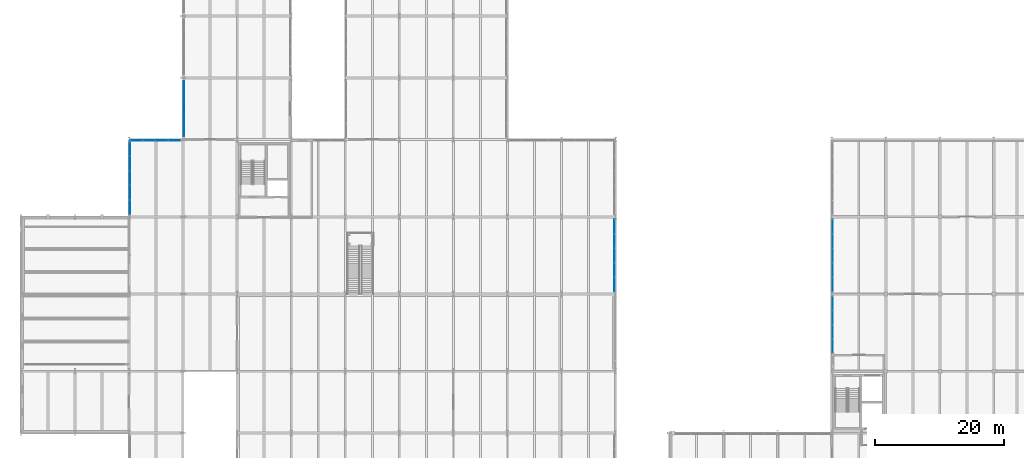
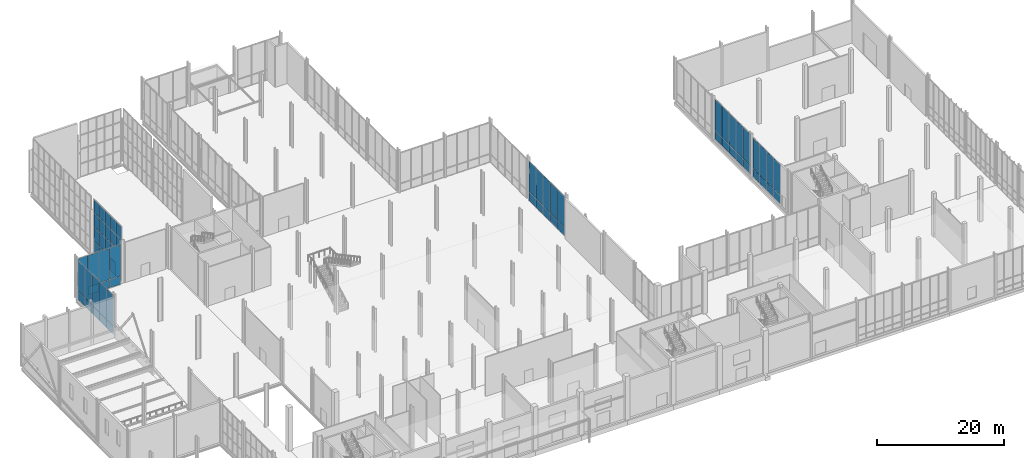
# One storey, part 102 of 131: 66 plates, 6 elements without a shape of their own.
"""IFC4 building model written with IfcOpenShell, lengths in metres."""

from ifc_helpers import new_model, si_unit, direction, frame, origin, origin_2d, place, context, subcontext, project, spatial, rectangle, extrude, material, layer, layer_set, type_object, element, aggregate, save


model = new_model("IFC4")

# Units and contexts
model_context = context("Model", 3, precision=1e-05, world=origin(), true_north=direction((0.0, 1.0)))
body_context = subcontext(model_context, "Body", "Model", "MODEL_VIEW")
ifc_project = project(units=[si_unit("LENGTHUNIT", "METRE"), si_unit("AREAUNIT", "SQUARE_METRE"), si_unit("VOLUMEUNIT", "CUBIC_METRE"), si_unit("PLANEANGLEUNIT", "RADIAN"), si_unit("MASSUNIT", "GRAM", prefix="KILO")], contexts=[model_context])

# Site, building, storey
site_placement = place(None, origin())
site = spatial("IfcSite", under=ifc_project, at=site_placement, CompositionType="ELEMENT")
building_placement = place(site_placement, origin())
building = spatial("IfcBuilding", under=site, at=building_placement, Name="Veltarok Museum of Natural Sciences", CompositionType="ELEMENT")
storey_placement = place(building_placement, origin())
storey = spatial("IfcBuildingStorey", under=building, at=storey_placement, Name="L00", CompositionType="ELEMENT", Elevation=0.0)

# Curtain wall, plates
ifc_material = material(Name="Low-iron triple insulated glass", Category="glass")
curtain_wall_type_1 = type_object("IfcCurtainWallType", Name="Curtain Wall System CW-PAS-NW-HJ-870x1065 (Sculpture Court Passage H-J 870x1065cm)", PredefinedType="NOTDEFINED", material=ifc_material)
curtain_wall_1_placement = place(storey_placement, origin())
curtain_wall_1 = element("IfcCurtainWall", 1, at=curtain_wall_1_placement, inside=storey, type_object=curtain_wall_type_1, Name="Curtain Wall CW-PAS-NW-HJ-870x1065 CW-0024", PredefinedType="NOTDEFINED")
ifc_layer = layer(ifc_material, 0.028076171875)
ifc_layer_set = layer_set([ifc_layer], Name="Low-iron triple insulated glass")
plate_type = type_object("IfcPlateType", Name="Triple Low-Iron Glazed Vision Panel 28", PredefinedType="CURTAIN_PANEL", material=ifc_layer_set)
plate_1_placement = place(storey_placement, frame((31.75, 73.3349609375, 0.06005859375), z_axis=(0.0, 0.0, 1.0), x_axis=(0.0, 1.0, 0.0)))
plate_1 = element("IfcPlate", 2, at=plate_1_placement, type_object=plate_type, Name="CW-PAS-NW-HJ-870x1065 panel 1.1", PredefinedType="CURTAIN_PANEL", context=body_context, shape_type="SweptSolid", body=[
    extrude(rectangle(XDim=1.64990234375, YDim=0.028076171875, at=origin_2d()), origin(), (0.0, 0.0, 1.0), 2.510009765625),
])
plate_2_placement = place(storey_placement, frame((31.75, 73.3349609375, 2.6298828125), z_axis=(0.0, 0.0, 1.0), x_axis=(0.0, 1.0, 0.0)))
plate_2 = element("IfcPlate", 3, at=plate_2_placement, type_object=plate_type, Name="CW-PAS-NW-HJ-870x1065 panel 1.2", PredefinedType="CURTAIN_PANEL", context=body_context, shape_type="SweptSolid", body=[
    extrude(rectangle(XDim=1.64990234375, YDim=0.028076171875, at=origin_2d()), origin(), (0.0, 0.0, 1.0), 2.739990234375),
])
plate_3_placement = place(storey_placement, frame((31.75, 73.3349609375, 5.43017578125), z_axis=(0.0, 0.0, 1.0), x_axis=(0.0, 1.0, 0.0)))
plate_3 = element("IfcPlate", 4, at=plate_3_placement, type_object=plate_type, Name="CW-PAS-NW-HJ-870x1065 panel 1.3", PredefinedType="CURTAIN_PANEL", context=body_context, shape_type="SweptSolid", body=[
    extrude(rectangle(XDim=1.64990234375, YDim=0.028076171875, at=origin_2d()), origin(), (0.0, 0.0, 1.0), 2.639892578125),
])
plate_4_placement = place(storey_placement, frame((31.75, 73.3349609375, 8.130126953125), z_axis=(0.0, 0.0, 1.0), x_axis=(0.0, 1.0, 0.0)))
plate_4 = element("IfcPlate", 5, at=plate_4_placement, type_object=plate_type, Name="CW-PAS-NW-HJ-870x1065 panel 1.4", PredefinedType="CURTAIN_PANEL", context=body_context, shape_type="SweptSolid", body=[
    extrude(rectangle(XDim=1.64990234375, YDim=0.028076171875, at=origin_2d()), origin(), (0.0, 0.0, 1.0), 2.4599609375),
])
plate_5_placement = place(storey_placement, frame((31.75, 75.06005859375, 0.06005859375), z_axis=(0.0, 0.0, 1.0), x_axis=(0.0, 1.0, 0.0)))
plate_5 = element("IfcPlate", 6, at=plate_5_placement, type_object=plate_type, Name="CW-PAS-NW-HJ-870x1065 panel 2.1", PredefinedType="CURTAIN_PANEL", context=body_context, shape_type="SweptSolid", body=[
    extrude(rectangle(XDim=1.679931640625, YDim=0.028076171875, at=origin_2d()), origin(), (0.0, 0.0, 1.0), 2.510009765625),
])
plate_6_placement = place(storey_placement, frame((31.75, 75.06005859375, 2.6298828125), z_axis=(0.0, 0.0, 1.0), x_axis=(0.0, 1.0, 0.0)))
plate_6 = element("IfcPlate", 7, at=plate_6_placement, type_object=plate_type, Name="CW-PAS-NW-HJ-870x1065 panel 2.2", PredefinedType="CURTAIN_PANEL", context=body_context, shape_type="SweptSolid", body=[
    extrude(rectangle(XDim=1.679931640625, YDim=0.028076171875, at=origin_2d()), origin(), (0.0, 0.0, 1.0), 2.739990234375),
])
plate_7_placement = place(storey_placement, frame((31.75, 75.06005859375, 5.43017578125), z_axis=(0.0, 0.0, 1.0), x_axis=(0.0, 1.0, 0.0)))
plate_7 = element("IfcPlate", 8, at=plate_7_placement, type_object=plate_type, Name="CW-PAS-NW-HJ-870x1065 panel 2.3", PredefinedType="CURTAIN_PANEL", context=body_context, shape_type="SweptSolid", body=[
    extrude(rectangle(XDim=1.679931640625, YDim=0.028076171875, at=origin_2d()), origin(), (0.0, 0.0, 1.0), 2.639892578125),
])
plate_8_placement = place(storey_placement, frame((31.75, 75.06005859375, 8.130126953125), z_axis=(0.0, 0.0, 1.0), x_axis=(0.0, 1.0, 0.0)))
plate_8 = element("IfcPlate", 9, at=plate_8_placement, type_object=plate_type, Name="CW-PAS-NW-HJ-870x1065 panel 2.4", PredefinedType="CURTAIN_PANEL", context=body_context, shape_type="SweptSolid", body=[
    extrude(rectangle(XDim=1.679931640625, YDim=0.028076171875, at=origin_2d()), origin(), (0.0, 0.0, 1.0), 2.4599609375),
])
plate_9_placement = place(storey_placement, frame((31.75, 76.800048828125, 0.06005859375), z_axis=(0.0, 0.0, 1.0), x_axis=(0.0, 1.0, 0.0)))
plate_9 = element("IfcPlate", 10, at=plate_9_placement, type_object=plate_type, Name="CW-PAS-NW-HJ-870x1065 panel 3.1", PredefinedType="CURTAIN_PANEL", context=body_context, shape_type="SweptSolid", body=[
    extrude(rectangle(XDim=1.679931640625, YDim=0.028076171875, at=origin_2d()), origin(), (0.0, 0.0, 1.0), 2.510009765625),
])
plate_10_placement = place(storey_placement, frame((31.75, 76.800048828125, 2.6298828125), z_axis=(0.0, 0.0, 1.0), x_axis=(0.0, 1.0, 0.0)))
plate_10 = element("IfcPlate", 11, at=plate_10_placement, type_object=plate_type, Name="CW-PAS-NW-HJ-870x1065 panel 3.2", PredefinedType="CURTAIN_PANEL", context=body_context, shape_type="SweptSolid", body=[
    extrude(rectangle(XDim=1.679931640625, YDim=0.028076171875, at=origin_2d()), origin(), (0.0, 0.0, 1.0), 2.739990234375),
])
plate_11_placement = place(storey_placement, frame((31.75, 76.800048828125, 5.43017578125), z_axis=(0.0, 0.0, 1.0), x_axis=(0.0, 1.0, 0.0)))
plate_11 = element("IfcPlate", 12, at=plate_11_placement, type_object=plate_type, Name="CW-PAS-NW-HJ-870x1065 panel 3.3", PredefinedType="CURTAIN_PANEL", context=body_context, shape_type="SweptSolid", body=[
    extrude(rectangle(XDim=1.679931640625, YDim=0.028076171875, at=origin_2d()), origin(), (0.0, 0.0, 1.0), 2.639892578125),
])
plate_12_placement = place(storey_placement, frame((31.75, 76.800048828125, 8.130126953125), z_axis=(0.0, 0.0, 1.0), x_axis=(0.0, 1.0, 0.0)))
plate_12 = element("IfcPlate", 13, at=plate_12_placement, type_object=plate_type, Name="CW-PAS-NW-HJ-870x1065 panel 3.4", PredefinedType="CURTAIN_PANEL", context=body_context, shape_type="SweptSolid", body=[
    extrude(rectangle(XDim=1.679931640625, YDim=0.028076171875, at=origin_2d()), origin(), (0.0, 0.0, 1.0), 2.4599609375),
])
plate_13_placement = place(storey_placement, frame((31.75, 78.5400390625, 0.06005859375), z_axis=(0.0, 0.0, 1.0), x_axis=(0.0, 1.0, 0.0)))
plate_13 = element("IfcPlate", 14, at=plate_13_placement, type_object=plate_type, Name="CW-PAS-NW-HJ-870x1065 panel 4.1", PredefinedType="CURTAIN_PANEL", context=body_context, shape_type="SweptSolid", body=[
    extrude(rectangle(XDim=1.679931640625, YDim=0.028076171875, at=origin_2d()), origin(), (0.0, 0.0, 1.0), 2.510009765625),
])
plate_14_placement = place(storey_placement, frame((31.75, 78.5400390625, 2.6298828125), z_axis=(0.0, 0.0, 1.0), x_axis=(0.0, 1.0, 0.0)))
plate_14 = element("IfcPlate", 15, at=plate_14_placement, type_object=plate_type, Name="CW-PAS-NW-HJ-870x1065 panel 4.2", PredefinedType="CURTAIN_PANEL", context=body_context, shape_type="SweptSolid", body=[
    extrude(rectangle(XDim=1.679931640625, YDim=0.028076171875, at=origin_2d()), origin(), (0.0, 0.0, 1.0), 2.739990234375),
])
plate_15_placement = place(storey_placement, frame((31.75, 78.5400390625, 5.43017578125), z_axis=(0.0, 0.0, 1.0), x_axis=(0.0, 1.0, 0.0)))
plate_15 = element("IfcPlate", 16, at=plate_15_placement, type_object=plate_type, Name="CW-PAS-NW-HJ-870x1065 panel 4.3", PredefinedType="CURTAIN_PANEL", context=body_context, shape_type="SweptSolid", body=[
    extrude(rectangle(XDim=1.679931640625, YDim=0.028076171875, at=origin_2d()), origin(), (0.0, 0.0, 1.0), 2.639892578125),
])
plate_16_placement = place(storey_placement, frame((31.75, 78.5400390625, 8.130126953125), z_axis=(0.0, 0.0, 1.0), x_axis=(0.0, 1.0, 0.0)))
plate_16 = element("IfcPlate", 17, at=plate_16_placement, type_object=plate_type, Name="CW-PAS-NW-HJ-870x1065 panel 4.4", PredefinedType="CURTAIN_PANEL", context=body_context, shape_type="SweptSolid", body=[
    extrude(rectangle(XDim=1.679931640625, YDim=0.028076171875, at=origin_2d()), origin(), (0.0, 0.0, 1.0), 2.4599609375),
])
plate_17_placement = place(storey_placement, frame((31.75, 80.264892578125, 0.06005859375), z_axis=(0.0, 0.0, 1.0), x_axis=(0.0, 1.0, 0.0)))
plate_17 = element("IfcPlate", 18, at=plate_17_placement, type_object=plate_type, Name="CW-PAS-NW-HJ-870x1065 panel 5.1", PredefinedType="CURTAIN_PANEL", context=body_context, shape_type="SweptSolid", body=[
    extrude(rectangle(XDim=1.64990234375, YDim=0.028076171875, at=origin_2d()), origin(), (0.0, 0.0, 1.0), 2.510009765625),
])
plate_18_placement = place(storey_placement, frame((31.75, 80.264892578125, 2.6298828125), z_axis=(0.0, 0.0, 1.0), x_axis=(0.0, 1.0, 0.0)))
plate_18 = element("IfcPlate", 19, at=plate_18_placement, type_object=plate_type, Name="CW-PAS-NW-HJ-870x1065 panel 5.2", PredefinedType="CURTAIN_PANEL", context=body_context, shape_type="SweptSolid", body=[
    extrude(rectangle(XDim=1.64990234375, YDim=0.028076171875, at=origin_2d()), origin(), (0.0, 0.0, 1.0), 2.739990234375),
])
plate_19_placement = place(storey_placement, frame((31.75, 80.264892578125, 5.43017578125), z_axis=(0.0, 0.0, 1.0), x_axis=(0.0, 1.0, 0.0)))
plate_19 = element("IfcPlate", 20, at=plate_19_placement, type_object=plate_type, Name="CW-PAS-NW-HJ-870x1065 panel 5.3", PredefinedType="CURTAIN_PANEL", context=body_context, shape_type="SweptSolid", body=[
    extrude(rectangle(XDim=1.64990234375, YDim=0.028076171875, at=origin_2d()), origin(), (0.0, 0.0, 1.0), 2.639892578125),
])
plate_20_placement = place(storey_placement, frame((31.75, 80.264892578125, 8.130126953125), z_axis=(0.0, 0.0, 1.0), x_axis=(0.0, 1.0, 0.0)))
plate_20 = element("IfcPlate", 21, at=plate_20_placement, type_object=plate_type, Name="CW-PAS-NW-HJ-870x1065 panel 5.4", PredefinedType="CURTAIN_PANEL", context=body_context, shape_type="SweptSolid", body=[
    extrude(rectangle(XDim=1.64990234375, YDim=0.028076171875, at=origin_2d()), origin(), (0.0, 0.0, 1.0), 2.4599609375),
])
aggregate(curtain_wall_1, [plate_1, plate_2, plate_3, plate_4, plate_5, plate_6, plate_7, plate_8, plate_9, plate_10, plate_11, plate_12, plate_13, plate_14, plate_15, plate_16, plate_17, plate_18, plate_19, plate_20])

curtain_wall_type_2 = type_object("IfcCurtainWallType", Name="Curtain Wall System CW-V2E-L00-2-1130x768 (CW-V2E L00 1130x768cm)", PredefinedType="NOTDEFINED", material=ifc_material)
curtain_wall_2_placement = place(storey_placement, origin())
curtain_wall_2 = element("IfcCurtainWall", 22, at=curtain_wall_2_placement, inside=storey, type_object=curtain_wall_type_2, Name="Curtain Wall CW-V2E-L00-2-1130x768 CW-0126", PredefinedType="NOTDEFINED")
plate_21_placement = place(storey_placement, frame((98.64990234375, 49.4951171875, 0.057861328125), z_axis=(0.0, 0.0, 1.0), x_axis=(0.0, 1.0, 0.0)))
plate_21 = element("IfcPlate", 23, at=plate_21_placement, type_object=plate_type, Name="CW-V2E-L00-2-1130x768 panel 1.1", PredefinedType="CURTAIN_PANEL", context=body_context, shape_type="SweptSolid", body=[
    extrude(rectangle(XDim=2.169921875, YDim=0.028076171875, at=origin_2d()), origin(), (0.0, 0.0, 1.0), 1.56005859375),
])
plate_22_placement = place(storey_placement, frame((98.64990234375, 49.4951171875, 1.677978515625), z_axis=(0.0, 0.0, 1.0), x_axis=(0.0, 1.0, 0.0)))
plate_22 = element("IfcPlate", 24, at=plate_22_placement, type_object=plate_type, Name="CW-V2E-L00-2-1130x768 panel 1.2", PredefinedType="CURTAIN_PANEL", context=body_context, shape_type="SweptSolid", body=[
    extrude(rectangle(XDim=2.169921875, YDim=0.028076171875, at=origin_2d()), origin(), (0.0, 0.0, 1.0), 5.94189453125),
])
plate_23_placement = place(storey_placement, frame((98.64990234375, 51.739990234375, 0.057861328125), z_axis=(0.0, 0.0, 1.0), x_axis=(0.0, 1.0, 0.0)))
plate_23 = element("IfcPlate", 25, at=plate_23_placement, type_object=plate_type, Name="CW-V2E-L00-2-1130x768 panel 2.1", PredefinedType="CURTAIN_PANEL", context=body_context, shape_type="SweptSolid", body=[
    extrude(rectangle(XDim=2.199951171875, YDim=0.028076171875, at=origin_2d()), origin(), (0.0, 0.0, 1.0), 1.56005859375),
])
plate_24_placement = place(storey_placement, frame((98.64990234375, 51.739990234375, 1.677978515625), z_axis=(0.0, 0.0, 1.0), x_axis=(0.0, 1.0, 0.0)))
plate_24 = element("IfcPlate", 26, at=plate_24_placement, type_object=plate_type, Name="CW-V2E-L00-2-1130x768 panel 2.2", PredefinedType="CURTAIN_PANEL", context=body_context, shape_type="SweptSolid", body=[
    extrude(rectangle(XDim=2.199951171875, YDim=0.028076171875, at=origin_2d()), origin(), (0.0, 0.0, 1.0), 5.94189453125),
])
plate_25_placement = place(storey_placement, frame((98.64990234375, 54.0, 0.057861328125), z_axis=(0.0, 0.0, 1.0), x_axis=(0.0, 1.0, 0.0)))
plate_25 = element("IfcPlate", 27, at=plate_25_placement, type_object=plate_type, Name="CW-V2E-L00-2-1130x768 panel 3.1", PredefinedType="CURTAIN_PANEL", context=body_context, shape_type="SweptSolid", body=[
    extrude(rectangle(XDim=2.199951171875, YDim=0.028076171875, at=origin_2d()), origin(), (0.0, 0.0, 1.0), 1.56005859375),
])
plate_26_placement = place(storey_placement, frame((98.64990234375, 54.0, 1.677978515625), z_axis=(0.0, 0.0, 1.0), x_axis=(0.0, 1.0, 0.0)))
plate_26 = element("IfcPlate", 28, at=plate_26_placement, type_object=plate_type, Name="CW-V2E-L00-2-1130x768 panel 3.2", PredefinedType="CURTAIN_PANEL", context=body_context, shape_type="SweptSolid", body=[
    extrude(rectangle(XDim=2.199951171875, YDim=0.028076171875, at=origin_2d()), origin(), (0.0, 0.0, 1.0), 5.94189453125),
])
plate_27_placement = place(storey_placement, frame((98.64990234375, 56.260009765625, 0.057861328125), z_axis=(0.0, 0.0, 1.0), x_axis=(0.0, 1.0, 0.0)))
plate_27 = element("IfcPlate", 29, at=plate_27_placement, type_object=plate_type, Name="CW-V2E-L00-2-1130x768 panel 4.1", PredefinedType="CURTAIN_PANEL", context=body_context, shape_type="SweptSolid", body=[
    extrude(rectangle(XDim=2.199951171875, YDim=0.028076171875, at=origin_2d()), origin(), (0.0, 0.0, 1.0), 1.56005859375),
])
plate_28_placement = place(storey_placement, frame((98.64990234375, 56.260009765625, 1.677978515625), z_axis=(0.0, 0.0, 1.0), x_axis=(0.0, 1.0, 0.0)))
plate_28 = element("IfcPlate", 30, at=plate_28_placement, type_object=plate_type, Name="CW-V2E-L00-2-1130x768 panel 4.2", PredefinedType="CURTAIN_PANEL", context=body_context, shape_type="SweptSolid", body=[
    extrude(rectangle(XDim=2.199951171875, YDim=0.028076171875, at=origin_2d()), origin(), (0.0, 0.0, 1.0), 5.94189453125),
])
plate_29_placement = place(storey_placement, frame((98.64990234375, 58.5048828125, 0.057861328125), z_axis=(0.0, 0.0, 1.0), x_axis=(0.0, 1.0, 0.0)))
plate_29 = element("IfcPlate", 31, at=plate_29_placement, type_object=plate_type, Name="CW-V2E-L00-2-1130x768 panel 5.1", PredefinedType="CURTAIN_PANEL", context=body_context, shape_type="SweptSolid", body=[
    extrude(rectangle(XDim=2.169921875, YDim=0.028076171875, at=origin_2d()), origin(), (0.0, 0.0, 1.0), 1.56005859375),
])
plate_30_placement = place(storey_placement, frame((98.64990234375, 58.5048828125, 1.677978515625), z_axis=(0.0, 0.0, 1.0), x_axis=(0.0, 1.0, 0.0)))
plate_30 = element("IfcPlate", 32, at=plate_30_placement, type_object=plate_type, Name="CW-V2E-L00-2-1130x768 panel 5.2", PredefinedType="CURTAIN_PANEL", context=body_context, shape_type="SweptSolid", body=[
    extrude(rectangle(XDim=2.169921875, YDim=0.028076171875, at=origin_2d()), origin(), (0.0, 0.0, 1.0), 5.94189453125),
])
aggregate(curtain_wall_2, [plate_21, plate_22, plate_23, plate_24, plate_25, plate_26, plate_27, plate_28, plate_29, plate_30])

curtain_wall_type_3 = type_object("IfcCurtainWallType", Name="Curtain Wall System CW-V5CW-L00-3-880x763 (CW-V5CW L00 880x763cm)", PredefinedType="NOTDEFINED", material=ifc_material)
curtain_wall_3_placement = place(storey_placement, origin())
curtain_wall_3 = element("IfcCurtainWall", 33, at=curtain_wall_3_placement, inside=storey, type_object=curtain_wall_type_3, Name="Curtain Wall CW-V5CW-L00-3-880x763 CW-0171", PredefinedType="NOTDEFINED")
plate_31_placement = place(storey_placement, frame((132.550048828125, 39.965087890625, 0.057861328125), z_axis=(0.0, 0.0, 1.0), x_axis=(0.0, 1.0, 0.0)))
plate_31 = element("IfcPlate", 34, at=plate_31_placement, type_object=plate_type, Name="CW-V5CW-L00-3-880x763 panel 1.1", PredefinedType="CURTAIN_PANEL", context=body_context, shape_type="SweptSolid", body=[
    extrude(rectangle(XDim=2.110107421875, YDim=0.028076171875, at=origin_2d()), origin(), (0.0, 0.0, 1.0), 1.56005859375),
])
plate_32_placement = place(storey_placement, frame((132.550048828125, 39.965087890625, 1.677978515625), z_axis=(0.0, 0.0, 1.0), x_axis=(0.0, 1.0, 0.0)))
plate_32 = element("IfcPlate", 35, at=plate_32_placement, type_object=plate_type, Name="CW-V5CW-L00-3-880x763 panel 1.2", PredefinedType="CURTAIN_PANEL", context=body_context, shape_type="SweptSolid", body=[
    extrude(rectangle(XDim=2.110107421875, YDim=0.028076171875, at=origin_2d()), origin(), (0.0, 0.0, 1.0), 5.89208984375),
])
plate_33_placement = place(storey_placement, frame((132.550048828125, 42.14990234375, 0.057861328125), z_axis=(0.0, 0.0, 1.0), x_axis=(0.0, 1.0, 0.0)))
plate_33 = element("IfcPlate", 36, at=plate_33_placement, type_object=plate_type, Name="CW-V5CW-L00-3-880x763 panel 2.1", PredefinedType="CURTAIN_PANEL", context=body_context, shape_type="SweptSolid", body=[
    extrude(rectangle(XDim=2.139892578125, YDim=0.028076171875, at=origin_2d()), origin(), (0.0, 0.0, 1.0), 1.56005859375),
])
plate_34_placement = place(storey_placement, frame((132.550048828125, 42.14990234375, 1.677978515625), z_axis=(0.0, 0.0, 1.0), x_axis=(0.0, 1.0, 0.0)))
plate_34 = element("IfcPlate", 37, at=plate_34_placement, type_object=plate_type, Name="CW-V5CW-L00-3-880x763 panel 2.2", PredefinedType="CURTAIN_PANEL", context=body_context, shape_type="SweptSolid", body=[
    extrude(rectangle(XDim=2.139892578125, YDim=0.028076171875, at=origin_2d()), origin(), (0.0, 0.0, 1.0), 5.89208984375),
])
plate_35_placement = place(storey_placement, frame((132.550048828125, 44.35009765625, 0.057861328125), z_axis=(0.0, 0.0, 1.0), x_axis=(0.0, 1.0, 0.0)))
plate_35 = element("IfcPlate", 38, at=plate_35_placement, type_object=plate_type, Name="CW-V5CW-L00-3-880x763 panel 3.1", PredefinedType="CURTAIN_PANEL", context=body_context, shape_type="SweptSolid", body=[
    extrude(rectangle(XDim=2.139892578125, YDim=0.028076171875, at=origin_2d()), origin(), (0.0, 0.0, 1.0), 1.56005859375),
])
plate_36_placement = place(storey_placement, frame((132.550048828125, 44.35009765625, 1.677978515625), z_axis=(0.0, 0.0, 1.0), x_axis=(0.0, 1.0, 0.0)))
plate_36 = element("IfcPlate", 39, at=plate_36_placement, type_object=plate_type, Name="CW-V5CW-L00-3-880x763 panel 3.2", PredefinedType="CURTAIN_PANEL", context=body_context, shape_type="SweptSolid", body=[
    extrude(rectangle(XDim=2.139892578125, YDim=0.028076171875, at=origin_2d()), origin(), (0.0, 0.0, 1.0), 5.89208984375),
])
plate_37_placement = place(storey_placement, frame((132.550048828125, 46.534912109375, 0.057861328125), z_axis=(0.0, 0.0, 1.0), x_axis=(0.0, 1.0, 0.0)))
plate_37 = element("IfcPlate", 40, at=plate_37_placement, type_object=plate_type, Name="CW-V5CW-L00-3-880x763 panel 4.1", PredefinedType="CURTAIN_PANEL", context=body_context, shape_type="SweptSolid", body=[
    extrude(rectangle(XDim=2.110107421875, YDim=0.028076171875, at=origin_2d()), origin(), (0.0, 0.0, 1.0), 1.56005859375),
])
plate_38_placement = place(storey_placement, frame((132.550048828125, 46.534912109375, 1.677978515625), z_axis=(0.0, 0.0, 1.0), x_axis=(0.0, 1.0, 0.0)))
plate_38 = element("IfcPlate", 41, at=plate_38_placement, type_object=plate_type, Name="CW-V5CW-L00-3-880x763 panel 4.2", PredefinedType="CURTAIN_PANEL", context=body_context, shape_type="SweptSolid", body=[
    extrude(rectangle(XDim=2.110107421875, YDim=0.028076171875, at=origin_2d()), origin(), (0.0, 0.0, 1.0), 5.89208984375),
])
aggregate(curtain_wall_3, [plate_31, plate_32, plate_33, plate_34, plate_35, plate_36, plate_37, plate_38])

curtain_wall_type_4 = type_object("IfcCurtainWallType", Name="Curtain Wall System CW-V5CW-L00-0-1130x778 (CW-V5CW L00 1130x778cm)", PredefinedType="NOTDEFINED", material=ifc_material)
curtain_wall_4_placement = place(storey_placement, origin())
curtain_wall_4 = element("IfcCurtainWall", 42, at=curtain_wall_4_placement, inside=storey, type_object=curtain_wall_type_4, Name="Curtain Wall CW-V5CW-L00-0-1130x778 CW-0172", PredefinedType="NOTDEFINED")
plate_39_placement = place(storey_placement, frame((132.550048828125, 49.4951171875, 0.057861328125), z_axis=(0.0, 0.0, 1.0), x_axis=(0.0, 1.0, 0.0)))
plate_39 = element("IfcPlate", 43, at=plate_39_placement, type_object=plate_type, Name="CW-V5CW-L00-0-1130x778 panel 1.1", PredefinedType="CURTAIN_PANEL", context=body_context, shape_type="SweptSolid", body=[
    extrude(rectangle(XDim=2.169921875, YDim=0.028076171875, at=origin_2d()), origin(), (0.0, 0.0, 1.0), 1.56005859375),
])
plate_40_placement = place(storey_placement, frame((132.550048828125, 49.4951171875, 1.677978515625), z_axis=(0.0, 0.0, 1.0), x_axis=(0.0, 1.0, 0.0)))
plate_40 = element("IfcPlate", 44, at=plate_40_placement, type_object=plate_type, Name="CW-V5CW-L00-0-1130x778 panel 1.2", PredefinedType="CURTAIN_PANEL", context=body_context, shape_type="SweptSolid", body=[
    extrude(rectangle(XDim=2.169921875, YDim=0.028076171875, at=origin_2d()), origin(), (0.0, 0.0, 1.0), 6.0419921875),
])
plate_41_placement = place(storey_placement, frame((132.550048828125, 51.739990234375, 0.057861328125), z_axis=(0.0, 0.0, 1.0), x_axis=(0.0, 1.0, 0.0)))
plate_41 = element("IfcPlate", 45, at=plate_41_placement, type_object=plate_type, Name="CW-V5CW-L00-0-1130x778 panel 2.1", PredefinedType="CURTAIN_PANEL", context=body_context, shape_type="SweptSolid", body=[
    extrude(rectangle(XDim=2.199951171875, YDim=0.028076171875, at=origin_2d()), origin(), (0.0, 0.0, 1.0), 1.56005859375),
])
plate_42_placement = place(storey_placement, frame((132.550048828125, 51.739990234375, 1.677978515625), z_axis=(0.0, 0.0, 1.0), x_axis=(0.0, 1.0, 0.0)))
plate_42 = element("IfcPlate", 46, at=plate_42_placement, type_object=plate_type, Name="CW-V5CW-L00-0-1130x778 panel 2.2", PredefinedType="CURTAIN_PANEL", context=body_context, shape_type="SweptSolid", body=[
    extrude(rectangle(XDim=2.199951171875, YDim=0.028076171875, at=origin_2d()), origin(), (0.0, 0.0, 1.0), 6.0419921875),
])
plate_43_placement = place(storey_placement, frame((132.550048828125, 54.0, 0.057861328125), z_axis=(0.0, 0.0, 1.0), x_axis=(0.0, 1.0, 0.0)))
plate_43 = element("IfcPlate", 47, at=plate_43_placement, type_object=plate_type, Name="CW-V5CW-L00-0-1130x778 panel 3.1", PredefinedType="CURTAIN_PANEL", context=body_context, shape_type="SweptSolid", body=[
    extrude(rectangle(XDim=2.199951171875, YDim=0.028076171875, at=origin_2d()), origin(), (0.0, 0.0, 1.0), 1.56005859375),
])
plate_44_placement = place(storey_placement, frame((132.550048828125, 54.0, 1.677978515625), z_axis=(0.0, 0.0, 1.0), x_axis=(0.0, 1.0, 0.0)))
plate_44 = element("IfcPlate", 48, at=plate_44_placement, type_object=plate_type, Name="CW-V5CW-L00-0-1130x778 panel 3.2", PredefinedType="CURTAIN_PANEL", context=body_context, shape_type="SweptSolid", body=[
    extrude(rectangle(XDim=2.199951171875, YDim=0.028076171875, at=origin_2d()), origin(), (0.0, 0.0, 1.0), 6.0419921875),
])
plate_45_placement = place(storey_placement, frame((132.550048828125, 56.260009765625, 0.057861328125), z_axis=(0.0, 0.0, 1.0), x_axis=(0.0, 1.0, 0.0)))
plate_45 = element("IfcPlate", 49, at=plate_45_placement, type_object=plate_type, Name="CW-V5CW-L00-0-1130x778 panel 4.1", PredefinedType="CURTAIN_PANEL", context=body_context, shape_type="SweptSolid", body=[
    extrude(rectangle(XDim=2.199951171875, YDim=0.028076171875, at=origin_2d()), origin(), (0.0, 0.0, 1.0), 1.56005859375),
])
plate_46_placement = place(storey_placement, frame((132.550048828125, 56.260009765625, 1.677978515625), z_axis=(0.0, 0.0, 1.0), x_axis=(0.0, 1.0, 0.0)))
plate_46 = element("IfcPlate", 50, at=plate_46_placement, type_object=plate_type, Name="CW-V5CW-L00-0-1130x778 panel 4.2", PredefinedType="CURTAIN_PANEL", context=body_context, shape_type="SweptSolid", body=[
    extrude(rectangle(XDim=2.199951171875, YDim=0.028076171875, at=origin_2d()), origin(), (0.0, 0.0, 1.0), 6.0419921875),
])
plate_47_placement = place(storey_placement, frame((132.550048828125, 58.5048828125, 0.057861328125), z_axis=(0.0, 0.0, 1.0), x_axis=(0.0, 1.0, 0.0)))
plate_47 = element("IfcPlate", 51, at=plate_47_placement, type_object=plate_type, Name="CW-V5CW-L00-0-1130x778 panel 5.1", PredefinedType="CURTAIN_PANEL", context=body_context, shape_type="SweptSolid", body=[
    extrude(rectangle(XDim=2.169921875, YDim=0.028076171875, at=origin_2d()), origin(), (0.0, 0.0, 1.0), 1.56005859375),
])
plate_48_placement = place(storey_placement, frame((132.550048828125, 58.5048828125, 1.677978515625), z_axis=(0.0, 0.0, 1.0), x_axis=(0.0, 1.0, 0.0)))
plate_48 = element("IfcPlate", 52, at=plate_48_placement, type_object=plate_type, Name="CW-V5CW-L00-0-1130x778 panel 5.2", PredefinedType="CURTAIN_PANEL", context=body_context, shape_type="SweptSolid", body=[
    extrude(rectangle(XDim=2.169921875, YDim=0.028076171875, at=origin_2d()), origin(), (0.0, 0.0, 1.0), 6.0419921875),
])
aggregate(curtain_wall_4, [plate_39, plate_40, plate_41, plate_42, plate_43, plate_44, plate_45, plate_46, plate_47, plate_48])

curtain_wall_type_5 = type_object("IfcCurtainWallType", Name="Curtain Wall System CW-PASW0-L00-3-1130x763 (CW-PASW0 L00 1130x763cm)", PredefinedType="NOTDEFINED", material=ifc_material)
curtain_wall_5_placement = place(storey_placement, origin())
curtain_wall_5 = element("IfcCurtainWall", 53, at=curtain_wall_5_placement, inside=storey, type_object=curtain_wall_type_5, Name="Curtain Wall CW-PASW0-L00-3-1130x763 CW-0207", PredefinedType="NOTDEFINED")
plate_49_placement = place(storey_placement, frame((23.35009765625, 61.4951171875, 0.057861328125), z_axis=(0.0, 0.0, 1.0), x_axis=(0.0, 1.0, 0.0)))
plate_49 = element("IfcPlate", 54, at=plate_49_placement, type_object=plate_type, Name="CW-PASW0-L00-3-1130x763 panel 1.1", PredefinedType="CURTAIN_PANEL", context=body_context, shape_type="SweptSolid", body=[
    extrude(rectangle(XDim=2.169921875, YDim=0.028076171875, at=origin_2d()), origin(), (0.0, 0.0, 1.0), 1.56005859375),
])
plate_50_placement = place(storey_placement, frame((23.35009765625, 61.4951171875, 1.677978515625), z_axis=(0.0, 0.0, 1.0), x_axis=(0.0, 1.0, 0.0)))
plate_50 = element("IfcPlate", 55, at=plate_50_placement, type_object=plate_type, Name="CW-PASW0-L00-3-1130x763 panel 1.2", PredefinedType="CURTAIN_PANEL", context=body_context, shape_type="SweptSolid", body=[
    extrude(rectangle(XDim=2.169921875, YDim=0.028076171875, at=origin_2d()), origin(), (0.0, 0.0, 1.0), 5.89208984375),
])
plate_51_placement = place(storey_placement, frame((23.35009765625, 63.739990234375, 0.057861328125), z_axis=(0.0, 0.0, 1.0), x_axis=(0.0, 1.0, 0.0)))
plate_51 = element("IfcPlate", 56, at=plate_51_placement, type_object=plate_type, Name="CW-PASW0-L00-3-1130x763 panel 2.1", PredefinedType="CURTAIN_PANEL", context=body_context, shape_type="SweptSolid", body=[
    extrude(rectangle(XDim=2.199951171875, YDim=0.028076171875, at=origin_2d()), origin(), (0.0, 0.0, 1.0), 1.56005859375),
])
plate_52_placement = place(storey_placement, frame((23.35009765625, 63.739990234375, 1.677978515625), z_axis=(0.0, 0.0, 1.0), x_axis=(0.0, 1.0, 0.0)))
plate_52 = element("IfcPlate", 57, at=plate_52_placement, type_object=plate_type, Name="CW-PASW0-L00-3-1130x763 panel 2.2", PredefinedType="CURTAIN_PANEL", context=body_context, shape_type="SweptSolid", body=[
    extrude(rectangle(XDim=2.199951171875, YDim=0.028076171875, at=origin_2d()), origin(), (0.0, 0.0, 1.0), 5.89208984375),
])
plate_53_placement = place(storey_placement, frame((23.35009765625, 66.0, 0.057861328125), z_axis=(0.0, 0.0, 1.0), x_axis=(0.0, 1.0, 0.0)))
plate_53 = element("IfcPlate", 58, at=plate_53_placement, type_object=plate_type, Name="CW-PASW0-L00-3-1130x763 panel 3.1", PredefinedType="CURTAIN_PANEL", context=body_context, shape_type="SweptSolid", body=[
    extrude(rectangle(XDim=2.199951171875, YDim=0.028076171875, at=origin_2d()), origin(), (0.0, 0.0, 1.0), 1.56005859375),
])
plate_54_placement = place(storey_placement, frame((23.35009765625, 66.0, 1.677978515625), z_axis=(0.0, 0.0, 1.0), x_axis=(0.0, 1.0, 0.0)))
plate_54 = element("IfcPlate", 59, at=plate_54_placement, type_object=plate_type, Name="CW-PASW0-L00-3-1130x763 panel 3.2", PredefinedType="CURTAIN_PANEL", context=body_context, shape_type="SweptSolid", body=[
    extrude(rectangle(XDim=2.199951171875, YDim=0.028076171875, at=origin_2d()), origin(), (0.0, 0.0, 1.0), 5.89208984375),
])
plate_55_placement = place(storey_placement, frame((23.35009765625, 68.260009765625, 0.057861328125), z_axis=(0.0, 0.0, 1.0), x_axis=(0.0, 1.0, 0.0)))
plate_55 = element("IfcPlate", 60, at=plate_55_placement, type_object=plate_type, Name="CW-PASW0-L00-3-1130x763 panel 4.1", PredefinedType="CURTAIN_PANEL", context=body_context, shape_type="SweptSolid", body=[
    extrude(rectangle(XDim=2.199951171875, YDim=0.028076171875, at=origin_2d()), origin(), (0.0, 0.0, 1.0), 1.56005859375),
])
plate_56_placement = place(storey_placement, frame((23.35009765625, 68.260009765625, 1.677978515625), z_axis=(0.0, 0.0, 1.0), x_axis=(0.0, 1.0, 0.0)))
plate_56 = element("IfcPlate", 61, at=plate_56_placement, type_object=plate_type, Name="CW-PASW0-L00-3-1130x763 panel 4.2", PredefinedType="CURTAIN_PANEL", context=body_context, shape_type="SweptSolid", body=[
    extrude(rectangle(XDim=2.199951171875, YDim=0.028076171875, at=origin_2d()), origin(), (0.0, 0.0, 1.0), 5.89208984375),
])
plate_57_placement = place(storey_placement, frame((23.35009765625, 70.5048828125, 0.057861328125), z_axis=(0.0, 0.0, 1.0), x_axis=(0.0, 1.0, 0.0)))
plate_57 = element("IfcPlate", 62, at=plate_57_placement, type_object=plate_type, Name="CW-PASW0-L00-3-1130x763 panel 5.1", PredefinedType="CURTAIN_PANEL", context=body_context, shape_type="SweptSolid", body=[
    extrude(rectangle(XDim=2.169921875, YDim=0.028076171875, at=origin_2d()), origin(), (0.0, 0.0, 1.0), 1.56005859375),
])
plate_58_placement = place(storey_placement, frame((23.35009765625, 70.5048828125, 1.677978515625), z_axis=(0.0, 0.0, 1.0), x_axis=(0.0, 1.0, 0.0)))
plate_58 = element("IfcPlate", 63, at=plate_58_placement, type_object=plate_type, Name="CW-PASW0-L00-3-1130x763 panel 5.2", PredefinedType="CURTAIN_PANEL", context=body_context, shape_type="SweptSolid", body=[
    extrude(rectangle(XDim=2.169921875, YDim=0.028076171875, at=origin_2d()), origin(), (0.0, 0.0, 1.0), 5.89208984375),
])
aggregate(curtain_wall_5, [plate_49, plate_50, plate_51, plate_52, plate_53, plate_54, plate_55, plate_56, plate_57, plate_58])

curtain_wall_type_6 = type_object("IfcCurtainWallType", Name="Curtain Wall System CW-PASN0-L00-0-790x778 (CW-PASN0 L00 790x778cm)", PredefinedType="NOTDEFINED", material=ifc_material)
curtain_wall_6_placement = place(storey_placement, origin())
curtain_wall_6 = element("IfcCurtainWall", 64, at=curtain_wall_6_placement, inside=storey, type_object=curtain_wall_type_6, Name="Curtain Wall CW-PASN0-L00-0-790x778 CW-0208", PredefinedType="NOTDEFINED")
plate_59_placement = place(storey_placement, frame((30.24755859375, 71.85009765625, 0.057861328125), z_axis=(0.0, 0.0, 1.0), x_axis=(-1.0, 0.0, 0.0)))
plate_59 = element("IfcPlate", 65, at=plate_59_placement, type_object=plate_type, Name="CW-PASN0-L00-0-790x778 panel 1.1", PredefinedType="CURTAIN_PANEL", context=body_context, shape_type="SweptSolid", body=[
    extrude(rectangle(XDim=1.885009765625, YDim=0.028076171875, at=origin_2d()), origin(), (0.0, 0.0, 1.0), 1.56005859375),
])
plate_60_placement = place(storey_placement, frame((30.24755859375, 71.85009765625, 1.677978515625), z_axis=(0.0, 0.0, 1.0), x_axis=(-1.0, 0.0, 0.0)))
plate_60 = element("IfcPlate", 66, at=plate_60_placement, type_object=plate_type, Name="CW-PASN0-L00-0-790x778 panel 1.2", PredefinedType="CURTAIN_PANEL", context=body_context, shape_type="SweptSolid", body=[
    extrude(rectangle(XDim=1.885009765625, YDim=0.028076171875, at=origin_2d()), origin(), (0.0, 0.0, 1.0), 6.0419921875),
])
plate_61_placement = place(storey_placement, frame((28.28759765625, 71.85009765625, 0.057861328125), z_axis=(0.0, 0.0, 1.0), x_axis=(-1.0, 0.0, 0.0)))
plate_61 = element("IfcPlate", 67, at=plate_61_placement, type_object=plate_type, Name="CW-PASN0-L00-0-790x778 panel 2.1", PredefinedType="CURTAIN_PANEL", context=body_context, shape_type="SweptSolid", body=[
    extrude(rectangle(XDim=1.9150390625, YDim=0.028076171875, at=origin_2d()), origin(), (0.0, 0.0, 1.0), 1.56005859375),
])
plate_62_placement = place(storey_placement, frame((28.28759765625, 71.85009765625, 1.677978515625), z_axis=(0.0, 0.0, 1.0), x_axis=(-1.0, 0.0, 0.0)))
plate_62 = element("IfcPlate", 68, at=plate_62_placement, type_object=plate_type, Name="CW-PASN0-L00-0-790x778 panel 2.2", PredefinedType="CURTAIN_PANEL", context=body_context, shape_type="SweptSolid", body=[
    extrude(rectangle(XDim=1.9150390625, YDim=0.028076171875, at=origin_2d()), origin(), (0.0, 0.0, 1.0), 6.0419921875),
])
plate_63_placement = place(storey_placement, frame((26.3125, 71.85009765625, 0.057861328125), z_axis=(0.0, 0.0, 1.0), x_axis=(-1.0, 0.0, 0.0)))
plate_63 = element("IfcPlate", 69, at=plate_63_placement, type_object=plate_type, Name="CW-PASN0-L00-0-790x778 panel 3.1", PredefinedType="CURTAIN_PANEL", context=body_context, shape_type="SweptSolid", body=[
    extrude(rectangle(XDim=1.9150390625, YDim=0.028076171875, at=origin_2d()), origin(), (0.0, 0.0, 1.0), 1.56005859375),
])
plate_64_placement = place(storey_placement, frame((26.3125, 71.85009765625, 1.677978515625), z_axis=(0.0, 0.0, 1.0), x_axis=(-1.0, 0.0, 0.0)))
plate_64 = element("IfcPlate", 70, at=plate_64_placement, type_object=plate_type, Name="CW-PASN0-L00-0-790x778 panel 3.2", PredefinedType="CURTAIN_PANEL", context=body_context, shape_type="SweptSolid", body=[
    extrude(rectangle(XDim=1.9150390625, YDim=0.028076171875, at=origin_2d()), origin(), (0.0, 0.0, 1.0), 6.0419921875),
])
plate_65_placement = place(storey_placement, frame((24.3525390625, 71.85009765625, 0.057861328125), z_axis=(0.0, 0.0, 1.0), x_axis=(-1.0, 0.0, 0.0)))
plate_65 = element("IfcPlate", 71, at=plate_65_placement, type_object=plate_type, Name="CW-PASN0-L00-0-790x778 panel 4.1", PredefinedType="CURTAIN_PANEL", context=body_context, shape_type="SweptSolid", body=[
    extrude(rectangle(XDim=1.885009765625, YDim=0.028076171875, at=origin_2d()), origin(), (0.0, 0.0, 1.0), 1.56005859375),
])
plate_66_placement = place(storey_placement, frame((24.3525390625, 71.85009765625, 1.677978515625), z_axis=(0.0, 0.0, 1.0), x_axis=(-1.0, 0.0, 0.0)))
plate_66 = element("IfcPlate", 72, at=plate_66_placement, type_object=plate_type, Name="CW-PASN0-L00-0-790x778 panel 4.2", PredefinedType="CURTAIN_PANEL", context=body_context, shape_type="SweptSolid", body=[
    extrude(rectangle(XDim=1.885009765625, YDim=0.028076171875, at=origin_2d()), origin(), (0.0, 0.0, 1.0), 6.0419921875),
])
aggregate(curtain_wall_6, [plate_59, plate_60, plate_61, plate_62, plate_63, plate_64, plate_65, plate_66])

save(model, "model.ifc")
